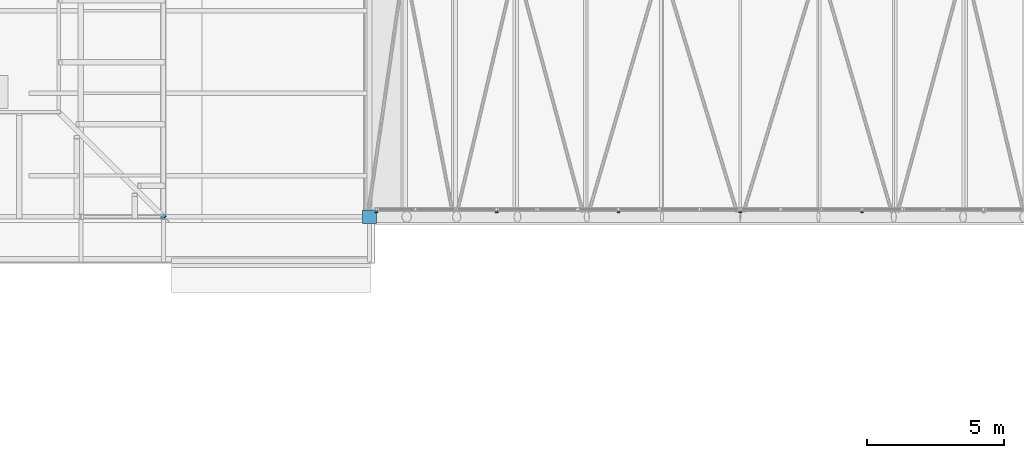
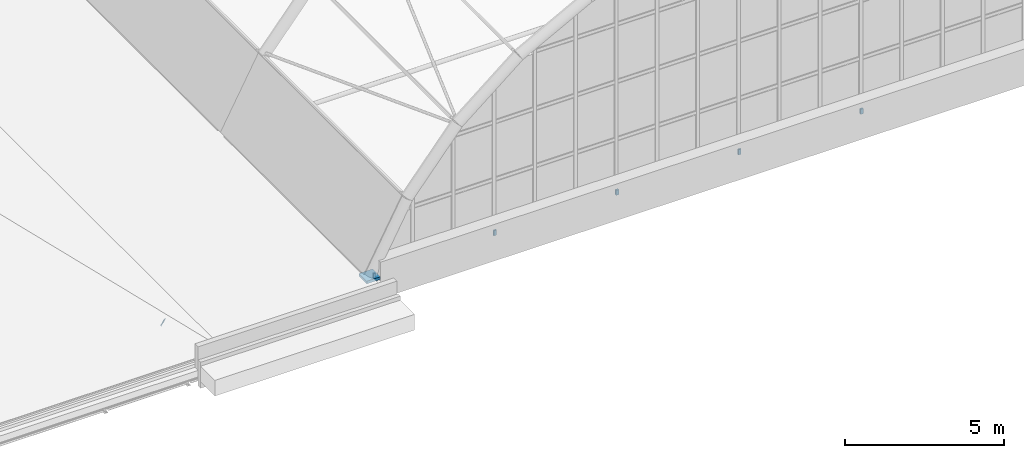
# One storey, part 102 of 121: 7 discrete accessories.
"""IFC4 building model written with IfcOpenShell, lengths in metres."""

from ifc_helpers import new_model, si_unit, direction, frame, origin, origin_2d, place, context, subcontext, project, spatial, rectangle, extrude, material, material_profile, profile_set, type_object, element, save


model = new_model("IFC4")

# Units and contexts
model_context = context("Model", 3, precision=1e-05, world=origin(), true_north=direction((0.0, 1.0)))
body_context = subcontext(model_context, "Body", "Model", "MODEL_VIEW")
ifc_project = project(units=[si_unit("LENGTHUNIT", "METRE"), si_unit("AREAUNIT", "SQUARE_METRE"), si_unit("VOLUMEUNIT", "CUBIC_METRE"), si_unit("PLANEANGLEUNIT", "RADIAN"), si_unit("MASSUNIT", "GRAM", prefix="KILO")], contexts=[model_context])

# Site, building, storey
site_placement = place(None, origin())
site = spatial("IfcSite", under=ifc_project, at=site_placement, CompositionType="ELEMENT")
building_placement = place(site_placement, origin())
building = spatial("IfcBuilding", under=site, at=building_placement, Name="Golden Quay Civic Hall", CompositionType="ELEMENT")
storey_placement = place(building_placement, frame((0.0, 0.0, 18.60009765625)))
storey = spatial("IfcBuildingStorey", under=building, at=storey_placement, Name="L04", CompositionType="ELEMENT", Elevation=18.60009765625)

# Discrete accessories
ifc_material_1 = material(Name="Steel S355", Category="steel")
discrete_accessory_type_1 = type_object("IfcDiscreteAccessoryType", Name="Hall screen bracket 100 x 200", PredefinedType="BRACKET", material=ifc_material_1)
discrete_accessory_1_placement = place(storey_placement, frame((72.264892578125, 0.179931640625, -0.21728515625), z_axis=(0.0, 0.0, 1.0), x_axis=(1.0, 0.0, 0.0)))
element("IfcDiscreteAccessory", 1, at=discrete_accessory_1_placement, inside=storey, type_object=discrete_accessory_type_1, Name="Hall screen bracket 0", PredefinedType="BRACKET", context=body_context, shape_type="SweptSolid", body=[
    extrude(rectangle(XDim=0.090087890625, YDim=0.06005859375, at=origin_2d()), origin(), (0.0, 0.0, 1.0), 0.199951171875),
])
for number, where, z_axis, x_axis, name in (
    (2, (76.633056640625, 0.179931640625, -0.10009765625), (0.0, 0.0, 1.0), (1.0, 0.0, 0.0), "Hall screen bracket 3"),
    (3, (81.06689453125, 0.179931640625, -0.10009765625), (0.0, 0.0, 1.0), (1.0, 0.0, 0.0), "Hall screen bracket 6"),
    (4, (85.5, 0.179931640625, -0.10009765625), (0.0, 0.0, 1.0), (1.0, 0.0, 0.0), "Hall screen bracket 9"),
    (5, (89.93310546875, 0.179931640625, -0.10009765625), (0.0, 0.0, 1.0), (1.0, 0.0, 0.0), "Hall screen bracket 12"),
):
    element("IfcDiscreteAccessory", number, at=place(storey_placement, frame(where, z_axis=z_axis, x_axis=x_axis)), inside=storey, type_object=discrete_accessory_type_1, Name=name, PredefinedType="BRACKET", context=body_context, shape_type="SweptSolid", body=[
        extrude(rectangle(XDim=0.10009765625, YDim=0.06005859375, at=origin_2d()), origin(), (0.0, 0.0, 1.0), 0.199951171875),
    ])
ifc_material_2 = material(Name="Steel S355", Category="steel")
discrete_accessory_type_2 = type_object("IfcDiscreteAccessoryType", Name="Steel bearing shoe 500x500x100", PredefinedType="BRACKET", material=ifc_material_2)
discrete_accessory_2_placement = place(storey_placement, frame((72.0, 0.0, -0.000244140625), z_axis=(0.0, 0.0, 1.0), x_axis=(1.0, 0.0, 0.0)))
element("IfcDiscreteAccessory", 6, at=discrete_accessory_2_placement, inside=storey, type_object=discrete_accessory_type_2, Name="Bearing shoe 1", PredefinedType="BRACKET", context=body_context, shape_type="SweptSolid", body=[
    extrude(rectangle(XDim=0.5, YDim=0.5, at=origin_2d()), origin(), (0.0, 0.0, 1.0), 0.10009765625),
])
ifc_material_3 = material(Name="Steel S355", Category="steel")
ifc_material_profile = material_profile(ifc_material_3, rectangle(XDim=0.199951171875, YDim=0.199951171875, at=origin_2d()), Name="Steel end cap plate 200x200x16")
ifc_profile_set = profile_set([ifc_material_profile], Name="Steel S355")
discrete_accessory_type_3 = type_object("IfcDiscreteAccessoryType", Name="Steel end cap plate 200x200x16", PredefinedType="BRACKET", material=ifc_profile_set)
discrete_accessory_3_placement = place(storey_placement, frame((64.5, 0.0, 0.92822265625), z_axis=(0.628025291884, -0.628025291884, -0.459530701378), x_axis=(0.707106781187, 0.707106781187, 0.0)))
element("IfcDiscreteAccessory", 7, at=discrete_accessory_3_placement, inside=storey, type_object=discrete_accessory_type_3, Name="End cap hip rafter WM-S south-east", PredefinedType="BRACKET", context=body_context, shape_type="SweptSolid", body=[
    extrude(rectangle(XDim=0.199951171875, YDim=0.199951171875, at=origin_2d()), origin(), (0.0, 0.0, 1.0), 0.015869140625),
])

save(model, "model.ifc")
